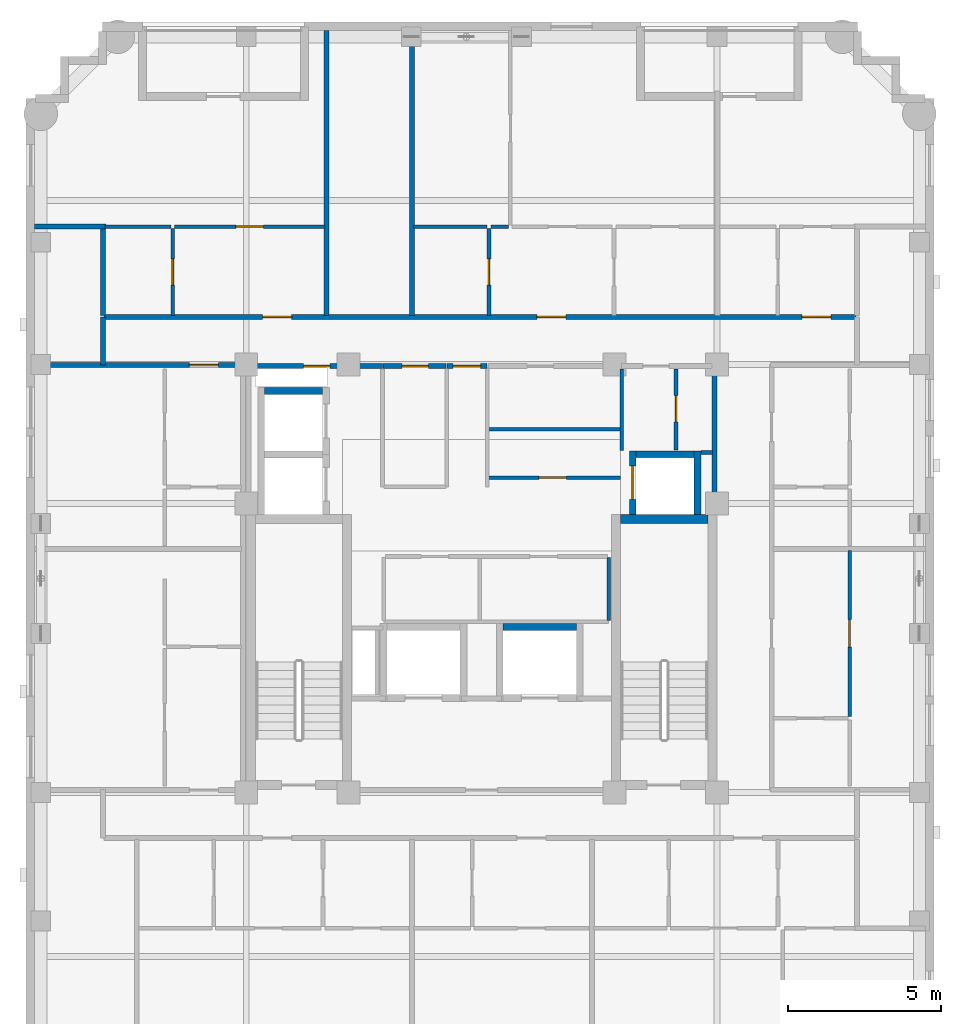
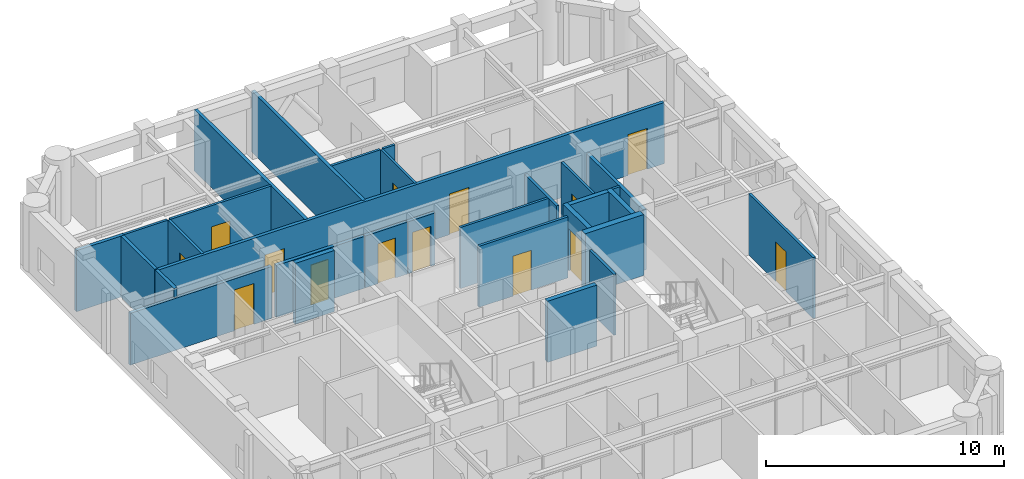
# One storey, part 5 of 10: 30 walls, 14 doors, 14 openings.
"""IFC4 building model written with IfcOpenShell, lengths in metres."""

from ifc_helpers import new_model, si_unit, derived_unit, direction, frame, frame_2d, origin, place, context, subcontext, project, spatial, rectangle, extrude, material, layer, layer_set, type_object, element, fill, save


model = new_model("IFC4")

# Units and contexts
model_context = context("Model", 3, precision=1e-05, world=origin(), true_north=direction((0.0, 1.0)))
body_context = subcontext(model_context, "Body", "Model", "MODEL_VIEW")
ifc_project = project(units=[si_unit("LENGTHUNIT", "METRE"), si_unit("AREAUNIT", "SQUARE_METRE"), si_unit("VOLUMEUNIT", "CUBIC_METRE"), si_unit("PLANEANGLEUNIT", "RADIAN"), si_unit("MASSUNIT", "GRAM", prefix="KILO"), derived_unit("THERMALTRANSMITTANCEUNIT", [(si_unit("MASSUNIT", "GRAM", prefix="KILO"), 1), (si_unit("TIMEUNIT", "SECOND"), -3), (si_unit("THERMODYNAMICTEMPERATUREUNIT", "KELVIN"), -1)])], contexts=[model_context])

# Site, building, storey
site_placement = place(None, origin())
site = spatial("IfcSite", under=ifc_project, at=site_placement, CompositionType="ELEMENT")
building_placement = place(site_placement, origin())
building = spatial("IfcBuilding", under=site, at=building_placement, Name="Korrvale Station Residences", CompositionType="ELEMENT")
storey_placement = place(building_placement, frame((0.0, 0.0, 234.300048828125)))
storey = spatial("IfcBuildingStorey", under=building, at=storey_placement, Name="L68", CompositionType="ELEMENT", Elevation=234.300048828125)

# Walls
ifc_material_1 = material(Name="Concrete C50/60", Category="concrete")
ifc_layer_1 = layer(ifc_material_1, 0.300048828125, Name="Concrete C50/60")
ifc_layer_set_1 = layer_set([ifc_layer_1], Name="Concrete C50/60")
wall_type_1 = type_object("IfcWallType", Name="WAL-CORE-300-C50", PredefinedType="SHEAR", material=ifc_layer_set_1)
wall_1_placement = place(storey_placement, frame((30.050048828125, 23.949951171875, 0.0), z_axis=(0.0, 0.0, 1.0), x_axis=(1.0, 0.0, 0.0)))
element("IfcWall", 1, at=wall_1_placement, inside=storey, type_object=wall_type_1, Name="L68 ST-2 Core Shear Wall North", PredefinedType="SHEAR", context=body_context, shape_type="SweptSolid", body=[
    extrude(rectangle(XDim=2.849853515625, YDim=0.300048828125, at=frame_2d((1.4248046875, 0.0))), origin(), (0.0, 0.0, 1.0), 3.139892578125),
])
ifc_material_2 = material(Name="Acoustic steel-stud gypsum board partition", Category="steel")
ifc_layer_2 = layer(ifc_material_2, 0.1201171875, Name="Acoustic steel-stud gypsum board partition")
ifc_layer_set_2 = layer_set([ifc_layer_2], Name="Acoustic steel-stud gypsum board partition")
wall_type_2 = type_object("IfcWallType", Name="WAL-PART-125", PredefinedType="PARTITIONING", material=ifc_layer_set_2)
wall_2_placement = place(storey_placement, frame((30.080078125, 26.179931640625, 0.0), z_axis=(0.0, 0.0, 1.0), x_axis=(0.0, 1.0, 0.0)))
element("IfcWall", 2, at=wall_2_placement, inside=storey, type_object=wall_type_2, Name="L68 Core Partition CW-CS-W", PredefinedType="PARTITIONING", context=body_context, shape_type="SweptSolid", body=[
    extrude(rectangle(XDim=2.68017578125, YDim=0.1201171875, at=frame_2d((1.340087890625, 0.0))), origin(), (0.0, 0.0, 1.0), 3.139892578125),
])
wall_3_placement = place(storey_placement, frame((32.679931640625, 26.1201171875, 0.0), z_axis=(0.0, 0.0, 1.0), x_axis=(1.0, 0.0, 0.0)))
element("IfcWall", 3, at=wall_3_placement, inside=storey, type_object=wall_type_2, Name="L68 Core Partition CW-CS-S", PredefinedType="PARTITIONING", context=body_context, shape_type="SweptSolid", body=[
    extrude(rectangle(XDim=0.380126953125, YDim=0.1201171875, at=frame_2d((0.18994140625, 0.0))), origin(), (0.0, 0.0, 1.0), 3.139892578125),
])

# Wall, opening, door
wall_4_placement = place(storey_placement, frame((31.860107421875, 26.199951171875, 0.0), z_axis=(0.0, 0.0, 1.0), x_axis=(0.0, 1.0, 0.0)))
wall_4 = element("IfcWall", 4, at=wall_4_placement, inside=storey, type_object=wall_type_2, Name="L68 Core Partition CW-CS-MID", PredefinedType="PARTITIONING", context=body_context, shape_type="SweptSolid", body=[
    extrude(rectangle(XDim=2.66015625, YDim=0.1201171875, at=frame_2d((1.330078125, 0.0))), origin(), (0.0, 0.0, 1.0), 3.139892578125),
])
opening_1_placement = place(wall_4_placement, frame((0.919921875, 0.0, 0.0)))
opening_1 = element("IfcOpeningElement", 5, at=opening_1_placement, cuts=wall_4, Name="Opening DB-860", PredefinedType="OPENING", context=body_context, shape_type="SweptSolid", body=[
    extrude(rectangle(XDim=0.860107421875, YDim=2.050048828125, at=frame_2d((0.43017578125, 1.02490234375))), frame((0.0, 0.070068359375, 0.0), z_axis=(0.0, -1.0, 0.0), x_axis=(1.0, 0.0, 0.0)), (0.0, 0.0, 1.0), 0.14013671875),
])
ifc_material_3 = material(Name="Moisture-resistant solid-core bathroom door", Category="timber")
door_type_1 = type_object("IfcDoorType", Name="DR-BATH-860", OperationType="NOTDEFINED", PredefinedType="DOOR", material=ifc_material_3)
door_1_placement = place(opening_1_placement, origin())
door_1 = element("IfcDoor", 6, at=door_1_placement, inside=storey, type_object=door_type_1, Name="L68 Metering Inner Door", OperationType="SINGLE_SWING_RIGHT", OverallHeight=2.050048828125, OverallWidth=0.860107421875, PredefinedType="DOOR", context=body_context, shape_type="SweptSolid", body=[
    extrude(rectangle(XDim=0.860107421875, YDim=2.050048828125, at=frame_2d((0.43017578125, 1.02490234375))), frame((0.0, 0.02490234375, 0.0), z_axis=(0.0, -1.0, 0.0), x_axis=(1.0, 0.0, 0.0)), (0.0, 0.0, 1.0), 0.050048828125),
])
fill(opening_1, door_1)

# Wall
wall_5_placement = place(storey_placement, frame((25.719970703125, 26.8798828125, 0.0), z_axis=(0.0, 0.0, 1.0), x_axis=(1.0, 0.0, 0.0)))
element("IfcWall", 7, at=wall_5_placement, inside=storey, type_object=wall_type_2, Name="L68 Core Partition CW-FPLE-H", PredefinedType="PARTITIONING", context=body_context, shape_type="SweptSolid", body=[
    extrude(rectangle(XDim=4.320068359375, YDim=0.1201171875, at=frame_2d((2.16015625, 0.0))), origin(), (0.0, 0.0, 1.0), 3.139892578125),
])

# Wall, opening, door
wall_6_placement = place(storey_placement, frame((25.719970703125, 25.300048828125, 0.0), z_axis=(0.0, 0.0, 1.0), x_axis=(1.0, 0.0, 0.0)))
wall_6 = element("IfcWall", 8, at=wall_6_placement, inside=storey, type_object=wall_type_2, Name="L68 Core Partition CW-FPLE-S", PredefinedType="PARTITIONING", context=body_context, shape_type="SweptSolid", body=[
    extrude(rectangle(XDim=4.320068359375, YDim=0.1201171875, at=frame_2d((2.16015625, 0.0))), origin(), (0.0, 0.0, 1.0), 3.139892578125),
])
opening_2_placement = place(wall_6_placement, frame((1.64990234375, 0.0, 0.0)))
opening_2 = element("IfcOpeningElement", 9, at=opening_2_placement, cuts=wall_6, Name="Opening DI-900", PredefinedType="OPENING", context=body_context, shape_type="SweptSolid", body=[
    extrude(rectangle(XDim=0.89990234375, YDim=2.050048828125, at=frame_2d((0.449951171875, 1.02490234375))), frame((0.0, 0.070068359375, 0.0), z_axis=(0.0, -1.0, 0.0), x_axis=(1.0, 0.0, 0.0)), (0.0, 0.0, 1.0), 0.14013671875),
])
ifc_material_4 = material(Name="Painted solid-core timber interior room door", Category="wood")
door_type_2 = type_object("IfcDoorType", Name="DR-INT-900", OperationType="NOTDEFINED", PredefinedType="DOOR", material=ifc_material_4)
door_2_placement = place(opening_2_placement, origin())
door_2 = element("IfcDoor", 10, at=door_2_placement, inside=storey, type_object=door_type_2, Name="L68 Housekeeping Linen Door", OperationType="SINGLE_SWING_LEFT", OverallHeight=2.050048828125, OverallWidth=0.89990234375, PredefinedType="DOOR", context=body_context, shape_type="SweptSolid", body=[
    extrude(rectangle(XDim=0.89990234375, YDim=2.050048828125, at=frame_2d((0.449951171875, 1.02490234375))), frame((0.0, 0.02490234375, 0.0), z_axis=(0.0, -1.0, 0.0), x_axis=(1.0, 0.0, 0.0)), (0.0, 0.0, 1.0), 0.050048828125),
])
fill(opening_2, door_2)

# Wall
wall_7_placement = place(storey_placement, frame((29.659912109375, 20.6201171875, 0.0), z_axis=(0.0, 0.0, 1.0), x_axis=(0.0, 1.0, 0.0)))
element("IfcWall", 11, at=wall_7_placement, inside=storey, type_object=wall_type_2, Name="L68 Core Partition CW-FPM-E", PredefinedType="PARTITIONING", context=body_context, shape_type="SweptSolid", body=[
    extrude(rectangle(XDim=2.059814453125, YDim=0.1201171875, at=frame_2d((1.02978515625, 0.0))), origin(), (0.0, 0.0, 1.0), 3.139892578125),
])

# Wall, opening, door
wall_8_placement = place(storey_placement, frame((15.39697265625, 30.60009765625, 0.0), z_axis=(0.0, 0.0, 1.0), x_axis=(0.0, 1.0, 0.0)))
wall_8 = element("IfcWall", 12, at=wall_8_placement, inside=storey, type_object=wall_type_2, Name="L68 Suite Partition U04-V01", PredefinedType="PARTITIONING", context=body_context, shape_type="SweptSolid", body=[
    extrude(rectangle(XDim=2.849853515625, YDim=0.1201171875, at=frame_2d((1.4248046875, 0.0))), origin(), (0.0, 0.0, 1.0), 3.139892578125),
])
opening_3_placement = place(wall_8_placement, frame((0.9951171875, 0.0, 0.0)))
opening_3 = element("IfcOpeningElement", 13, at=opening_3_placement, cuts=wall_8, Name="Opening DB-860", PredefinedType="OPENING", context=body_context, shape_type="SweptSolid", body=[
    extrude(rectangle(XDim=0.860107421875, YDim=2.050048828125, at=frame_2d((0.43017578125, 1.02490234375))), frame((0.0, 0.070068359375, 0.0), z_axis=(0.0, -1.0, 0.0), x_axis=(1.0, 0.0, 0.0)), (0.0, 0.0, 1.0), 0.14013671875),
])
door_3_placement = place(opening_3_placement, origin())
door_3 = element("IfcDoor", 14, at=door_3_placement, inside=storey, type_object=door_type_1, Name="L68 Studio Apartment L68-U04 Bathroom Door", OperationType="SINGLE_SWING_RIGHT", OverallHeight=2.050048828125, OverallWidth=0.860107421875, PredefinedType="DOOR", context=body_context, shape_type="SweptSolid", body=[
    extrude(rectangle(XDim=0.860107421875, YDim=2.050048828125, at=frame_2d((0.43017578125, 1.02490234375))), frame((0.0, 0.02490234375, 0.0), z_axis=(0.0, -1.0, 0.0), x_axis=(1.0, 0.0, 0.0)), (0.0, 0.0, 1.0), 0.050048828125),
])
fill(opening_3, door_3)

# Wall
wall_9_placement = place(storey_placement, frame((13.179931640625, 33.510009765625, 0.0), z_axis=(0.0, 0.0, 1.0), x_axis=(1.0, 0.0, 0.0)))
element("IfcWall", 15, at=wall_9_placement, inside=storey, type_object=wall_type_2, Name="L68 Suite Partition U04-H02", PredefinedType="PARTITIONING", context=body_context, shape_type="SweptSolid", body=[
    extrude(rectangle(XDim=2.156982421875, YDim=0.1201171875, at=frame_2d((1.07861328125, 0.0))), origin(), (0.0, 0.0, 1.0), 3.139892578125),
])

# Wall, opening, door
wall_10_placement = place(storey_placement, frame((15.45703125, 33.510009765625, 0.0), z_axis=(0.0, 0.0, 1.0), x_axis=(1.0, 0.0, 0.0)))
wall_10 = element("IfcWall", 16, at=wall_10_placement, inside=storey, type_object=wall_type_2, Name="L68 Suite Partition U04-H12", PredefinedType="PARTITIONING", context=body_context, shape_type="SweptSolid", body=[
    extrude(rectangle(XDim=4.9130859375, YDim=0.1201171875, at=frame_2d((2.45654296875, 0.0))), origin(), (0.0, 0.0, 1.0), 3.139892578125),
])
opening_4_placement = place(wall_10_placement, frame((2.006103515625, 0.0, 0.0)))
opening_4 = element("IfcOpeningElement", 17, at=opening_4_placement, cuts=wall_10, Name="Opening DI-900", PredefinedType="OPENING", context=body_context, shape_type="SweptSolid", body=[
    extrude(rectangle(XDim=0.89990234375, YDim=2.050048828125, at=frame_2d((0.449951171875, 1.02490234375))), frame((0.0, 0.070068359375, 0.0), z_axis=(0.0, -1.0, 0.0), x_axis=(1.0, 0.0, 0.0)), (0.0, 0.0, 1.0), 0.14013671875),
])
door_4_placement = place(opening_4_placement, origin())
door_4 = element("IfcDoor", 18, at=door_4_placement, inside=storey, type_object=door_type_2, Name="L68 Studio Apartment L68-U04 Kitchen Door", OperationType="SINGLE_SWING_LEFT", OverallHeight=2.050048828125, OverallWidth=0.89990234375, PredefinedType="DOOR", context=body_context, shape_type="SweptSolid", body=[
    extrude(rectangle(XDim=0.89990234375, YDim=2.050048828125, at=frame_2d((0.449951171875, 1.02490234375))), frame((0.0, 0.02490234375, 0.0), z_axis=(0.0, -1.0, 0.0), x_axis=(1.0, 0.0, 0.0)), (0.0, 0.0, 1.0), 0.050048828125),
])
fill(opening_4, door_4)

wall_11_placement = place(storey_placement, frame((25.739990234375, 30.60009765625, 0.0), z_axis=(0.0, 0.0, 1.0), x_axis=(0.0, 1.0, 0.0)))
wall_11 = element("IfcWall", 19, at=wall_11_placement, inside=storey, type_object=wall_type_2, Name="L68 Suite Partition U05-V01", PredefinedType="PARTITIONING", context=body_context, shape_type="SweptSolid", body=[
    extrude(rectangle(XDim=2.849853515625, YDim=0.1201171875, at=frame_2d((1.4248046875, 0.0))), origin(), (0.0, 0.0, 1.0), 3.139892578125),
])
opening_5_placement = place(wall_11_placement, frame((0.9951171875, 0.0, 0.0)))
opening_5 = element("IfcOpeningElement", 20, at=opening_5_placement, cuts=wall_11, Name="Opening DB-860", PredefinedType="OPENING", context=body_context, shape_type="SweptSolid", body=[
    extrude(rectangle(XDim=0.860107421875, YDim=2.050048828125, at=frame_2d((0.43017578125, 1.02490234375))), frame((0.0, 0.070068359375, 0.0), z_axis=(0.0, -1.0, 0.0), x_axis=(1.0, 0.0, 0.0)), (0.0, 0.0, 1.0), 0.14013671875),
])
door_5_placement = place(opening_5_placement, origin())
door_5 = element("IfcDoor", 21, at=door_5_placement, inside=storey, type_object=door_type_1, Name="L68 Studio Apartment L68-U05 Bathroom Door", OperationType="SINGLE_SWING_RIGHT", OverallHeight=2.050048828125, OverallWidth=0.860107421875, PredefinedType="DOOR", context=body_context, shape_type="SweptSolid", body=[
    extrude(rectangle(XDim=0.860107421875, YDim=2.050048828125, at=frame_2d((0.43017578125, 1.02490234375))), frame((0.0, 0.02490234375, 0.0), z_axis=(0.0, -1.0, 0.0), x_axis=(1.0, 0.0, 0.0)), (0.0, 0.0, 1.0), 0.050048828125),
])
fill(opening_5, door_5)

# Walls
wall_12_placement = place(storey_placement, frame((23.280029296875, 33.510009765625, 0.0), z_axis=(0.0, 0.0, 1.0), x_axis=(1.0, 0.0, 0.0)))
element("IfcWall", 22, at=wall_12_placement, inside=storey, type_object=wall_type_2, Name="L68 Suite Partition U05-H03", PredefinedType="PARTITIONING", context=body_context, shape_type="SweptSolid", body=[
    extrude(rectangle(XDim=2.39990234375, YDim=0.1201171875, at=frame_2d((1.199951171875, 0.0))), origin(), (0.0, 0.0, 1.0), 3.139892578125),
])
wall_13_placement = place(storey_placement, frame((25.800048828125, 33.510009765625, 0.0), z_axis=(0.0, 0.0, 1.0), x_axis=(1.0, 0.0, 0.0)))
element("IfcWall", 23, at=wall_13_placement, inside=storey, type_object=wall_type_2, Name="L68 Suite Partition U05-H13", PredefinedType="PARTITIONING", context=body_context, shape_type="SweptSolid", body=[
    extrude(rectangle(XDim=0.579833984375, YDim=0.1201171875, at=frame_2d((0.2900390625, 0.0))), origin(), (0.0, 0.0, 1.0), 3.139892578125),
])

# Wall, opening, door
wall_14_placement = place(storey_placement, frame((37.5400390625, 17.489013671875, 0.0), z_axis=(0.0, 0.0, 1.0), x_axis=(0.0, 1.0, 0.0)))
wall_14 = element("IfcWall", 24, at=wall_14_placement, inside=storey, type_object=wall_type_2, Name="L68 Suite Partition U09-V12", PredefinedType="PARTITIONING", context=body_context, shape_type="SweptSolid", body=[
    extrude(rectangle(XDim=5.43310546875, YDim=0.1201171875, at=frame_2d((2.716552734375, 0.0))), origin(), (0.0, 0.0, 1.0), 3.139892578125),
])
opening_6_placement = place(wall_14_placement, frame((2.26611328125, 0.0, 0.0)))
opening_6 = element("IfcOpeningElement", 25, at=opening_6_placement, cuts=wall_14, Name="Opening DI-900", PredefinedType="OPENING", context=body_context, shape_type="SweptSolid", body=[
    extrude(rectangle(XDim=0.89990234375, YDim=2.050048828125, at=frame_2d((0.449951171875, 1.02490234375))), frame((0.0, 0.070068359375, 0.0), z_axis=(0.0, -1.0, 0.0), x_axis=(1.0, 0.0, 0.0)), (0.0, 0.0, 1.0), 0.14013671875),
])
door_6_placement = place(opening_6_placement, origin())
door_6 = element("IfcDoor", 26, at=door_6_placement, inside=storey, type_object=door_type_2, Name="L68 Apartment 1BR L68-U09 Kitchen Door", OperationType="SINGLE_SWING_RIGHT", OverallHeight=2.050048828125, OverallWidth=0.89990234375, PredefinedType="DOOR", context=body_context, shape_type="SweptSolid", body=[
    extrude(rectangle(XDim=0.89990234375, YDim=2.050048828125, at=frame_2d((0.449951171875, 1.02490234375))), frame((0.0, 0.02490234375, 0.0), z_axis=(0.0, -1.0, 0.0), x_axis=(1.0, 0.0, 0.0)), (0.0, 0.0, 1.0), 0.050048828125),
])
fill(opening_6, door_6)

# Wall
ifc_material_5 = material(Name="Fire-rated twin-stud gypsum and mineral wool shaftwall assembly", Category="gypsum")
ifc_layer_3 = layer(ifc_material_5, 0.159912109375, Name="Fire-rated twin-stud gypsum and mineral wool shaftwall assembly")
ifc_layer_set_3 = layer_set([ifc_layer_3], Name="Fire-rated twin-stud gypsum and mineral wool shaftwall assembly")
wall_type_3 = type_object("IfcWallType", Name="WAL-PART-200", PredefinedType="PARTITIONING", material=ifc_layer_set_3)
wall_15_placement = place(storey_placement, frame((33.1201171875, 24.1201171875, 0.0), z_axis=(0.0, 0.0, 1.0), x_axis=(0.0, 1.0, 0.0)))
element("IfcWall", 27, at=wall_15_placement, inside=storey, type_object=wall_type_3, Name="L68 Core Partition CW-E-N", PredefinedType="PARTITIONING", context=body_context, shape_type="SweptSolid", body=[
    extrude(rectangle(XDim=4.759765625, YDim=0.159912109375, at=frame_2d((2.3798828125, 0.0))), origin(), (0.0, 0.0, 1.0), 3.139892578125),
])

# Wall, opening, door
wall_16_placement = place(storey_placement, frame((24.360107421875, 28.949951171875, 0.0), z_axis=(0.0, 0.0, 1.0), x_axis=(1.0, 0.0, 0.0)))
wall_16 = element("IfcWall", 28, at=wall_16_placement, inside=storey, type_object=wall_type_3, Name="L68 Core Partition CW-LLOB-N", PredefinedType="PARTITIONING", context=body_context, shape_type="SweptSolid", body=[
    extrude(rectangle(XDim=1.31982421875, YDim=0.159912109375, at=frame_2d((0.659912109375, 0.0))), origin(), (0.0, 0.0, 1.0), 2.66796875),
])
opening_7_placement = place(wall_16_placement, frame((0.2099609375, 0.0, 0.0)))
opening_7 = element("IfcOpeningElement", 29, at=opening_7_placement, cuts=wall_16, Name="Opening DI-900", PredefinedType="OPENING", context=body_context, shape_type="SweptSolid", body=[
    extrude(rectangle(XDim=0.89990234375, YDim=2.050048828125, at=frame_2d((0.449951171875, 1.02490234375))), frame((0.0, 0.08984375, 0.0), z_axis=(0.0, -1.0, 0.0), x_axis=(1.0, 0.0, 0.0)), (0.0, 0.0, 1.0), 0.179931640625),
])
door_7_placement = place(opening_7_placement, origin())
door_7 = element("IfcDoor", 30, at=door_7_placement, inside=storey, type_object=door_type_2, Name="L68 Central Hallway North Passage Door", OperationType="SINGLE_SWING_RIGHT", OverallHeight=2.050048828125, OverallWidth=0.89990234375, PredefinedType="DOOR", context=body_context, shape_type="SweptSolid", body=[
    extrude(rectangle(XDim=0.89990234375, YDim=2.050048828125, at=frame_2d((0.449951171875, 1.02490234375))), frame((0.0, 0.02490234375, 0.0), z_axis=(0.0, -1.0, 0.0), x_axis=(1.0, 0.0, 0.0)), (0.0, 0.0, 1.0), 0.050048828125),
])
fill(opening_7, door_7)

wall_17_placement = place(storey_placement, frame((17.9599609375, 28.949951171875, 0.0), z_axis=(0.0, 0.0, 1.0), x_axis=(1.0, 0.0, 0.0)))
wall_17 = element("IfcWall", 31, at=wall_17_placement, inside=storey, type_object=wall_type_3, Name="L68 Core Partition CW-NW", PredefinedType="PARTITIONING", context=body_context, shape_type="SweptSolid", body=[
    extrude(rectangle(XDim=4.2900390625, YDim=0.159912109375, at=frame_2d((2.14501953125, 0.0))), origin(), (0.0, 0.0, 1.0), 2.66796875),
])
opening_8_placement = place(wall_17_placement, frame((1.715087890625, 0.0, 0.0)))
opening_8 = element("IfcOpeningElement", 32, at=opening_8_placement, cuts=wall_17, Name="Opening DB-860", PredefinedType="OPENING", context=body_context, shape_type="SweptSolid", body=[
    extrude(rectangle(XDim=0.860107421875, YDim=2.050048828125, at=frame_2d((0.43017578125, 1.02490234375))), frame((0.0, 0.08984375, 0.0), z_axis=(0.0, -1.0, 0.0), x_axis=(1.0, 0.0, 0.0)), (0.0, 0.0, 1.0), 0.179931640625),
])
door_8_placement = place(opening_8_placement, origin())
door_8 = element("IfcDoor", 33, at=door_8_placement, inside=storey, type_object=door_type_1, Name="L68 Electrical Riser Access Door", OperationType="SINGLE_SWING_LEFT", OverallHeight=2.050048828125, OverallWidth=0.860107421875, PredefinedType="DOOR", context=body_context, shape_type="SweptSolid", body=[
    extrude(rectangle(XDim=0.860107421875, YDim=2.050048828125, at=frame_2d((0.43017578125, 1.02490234375))), frame((0.0, 0.02490234375, 0.0), z_axis=(0.0, -1.0, 0.0), x_axis=(1.0, 0.0, 0.0)), (0.0, 0.0, 1.0), 0.050048828125),
])
fill(opening_8, door_8)

wall_18_placement = place(storey_placement, frame((22.280029296875, 28.949951171875, 0.0), z_axis=(0.0, 0.0, 1.0), x_axis=(1.0, 0.0, 0.0)))
wall_18 = element("IfcWall", 34, at=wall_18_placement, inside=storey, type_object=wall_type_3, Name="L68 Core Partition CW-FPLW-N", PredefinedType="PARTITIONING", context=body_context, shape_type="SweptSolid", body=[
    extrude(rectangle(XDim=2.06005859375, YDim=0.159912109375, at=frame_2d((1.030029296875, 0.0))), origin(), (0.0, 0.0, 1.0), 2.66796875),
])
opening_9_placement = place(wall_18_placement, frame((0.6201171875, 0.0, 0.0)))
opening_9 = element("IfcOpeningElement", 35, at=opening_9_placement, cuts=wall_18, Name="Opening DB-860", PredefinedType="OPENING", context=body_context, shape_type="SweptSolid", body=[
    extrude(rectangle(XDim=0.860107421875, YDim=2.050048828125, at=frame_2d((0.43017578125, 1.02490234375))), frame((0.0, 0.08984375, 0.0), z_axis=(0.0, -1.0, 0.0), x_axis=(1.0, 0.0, 0.0)), (0.0, 0.0, 1.0), 0.179931640625),
])
door_9_placement = place(opening_9_placement, origin())
door_9 = element("IfcDoor", 36, at=door_9_placement, inside=storey, type_object=door_type_1, Name="L68 Resident Parcel Room Door", OperationType="SINGLE_SWING_RIGHT", OverallHeight=2.050048828125, OverallWidth=0.860107421875, PredefinedType="DOOR", context=body_context, shape_type="SweptSolid", body=[
    extrude(rectangle(XDim=0.860107421875, YDim=2.050048828125, at=frame_2d((0.43017578125, 1.02490234375))), frame((0.0, 0.02490234375, 0.0), z_axis=(0.0, -1.0, 0.0), x_axis=(1.0, 0.0, 0.0)), (0.0, 0.0, 1.0), 0.050048828125),
])
fill(opening_9, door_9)

# Walls
wall_19_placement = place(storey_placement, frame((13.1201171875, 28.97998046875, 0.0), z_axis=(0.0, 0.0, 1.0), x_axis=(0.0, 1.0, 0.0)))
element("IfcWall", 37, at=wall_19_placement, inside=storey, type_object=wall_type_3, Name="L68 Corridor North West Cap", PredefinedType="PARTITIONING", context=body_context, shape_type="SweptSolid", body=[
    extrude(rectangle(XDim=1.580078125, YDim=0.159912109375, at=frame_2d((0.7900390625, 0.0))), origin(), (0.0, 0.0, 1.0), 3.139892578125),
])
wall_20_placement = place(storey_placement, frame((10.8798828125, 33.510009765625, 0.0), z_axis=(0.0, 0.0, 1.0), x_axis=(1.0, 0.0, 0.0)))
element("IfcWall", 38, at=wall_20_placement, inside=storey, type_object=wall_type_3, Name="L68 Corner Step Wall U04-L", PredefinedType="PARTITIONING", context=body_context, shape_type="SweptSolid", body=[
    extrude(rectangle(XDim=2.340087890625, YDim=0.159912109375, at=frame_2d((1.169921875, 0.0))), origin(), (0.0, 0.0, 1.0), 3.139892578125),
])
wall_21_placement = place(storey_placement, frame((13.1201171875, 30.60009765625, 0.0), z_axis=(0.0, 0.0, 1.0), x_axis=(0.0, 1.0, 0.0)))
element("IfcWall", 39, at=wall_21_placement, inside=storey, type_object=wall_type_3, Name="L68 Corner Step Cheek U04-L", PredefinedType="PARTITIONING", context=body_context, shape_type="SweptSolid", body=[
    extrude(rectangle(XDim=2.909912109375, YDim=0.159912109375, at=frame_2d((1.455078125, 0.0))), origin(), (0.0, 0.0, 1.0), 3.139892578125),
])
for number, where, z_axis, x_axis, name in (
    (40, (20.429931640625, 30.60009765625, 0.0), (0.0, 0.0, 1.0), (0.0, 1.0, 0.0), "L68 Demising Wall U04-E"),
    (41, (23.219970703125, 30.60009765625, 0.0), (0.0, 0.0, 1.0), (0.0, 1.0, 0.0), "L68 Demising Wall U05-W"),
):
    element("IfcWall", number, at=place(storey_placement, frame(where, z_axis=z_axis, x_axis=x_axis)), inside=storey, type_object=wall_type_3, Name=name, PredefinedType="PARTITIONING", context=body_context, shape_type="SweptSolid", body=[
        extrude(rectangle(XDim=9.31982421875, YDim=0.159912109375, at=frame_2d((4.659912109375, 0.0))), origin(), (0.0, 0.0, 1.0), 3.139892578125),
    ])

# Wall, opening, door
wall_22_placement = place(storey_placement, frame((10.8798828125, 28.97998046875, 0.0), z_axis=(0.0, 0.0, 1.0), x_axis=(1.0, 0.0, 0.0)))
wall_22 = element("IfcWall", 42, at=wall_22_placement, inside=storey, type_object=wall_type_3, Name="L68 Side Suite North Entry Wall U08", PredefinedType="PARTITIONING", context=body_context, shape_type="SweptSolid", body=[
    extrude(rectangle(XDim=6.880126953125, YDim=0.159912109375, at=frame_2d((3.43994140625, 0.0))), origin(), (0.0, 0.0, 1.0), 2.66796875),
])
opening_10_placement = place(wall_22_placement, frame((5.06005859375, 0.0, 0.0)))
opening_10 = element("IfcOpeningElement", 43, at=opening_10_placement, cuts=wall_22, Name="Opening UD-950", PredefinedType="OPENING", context=body_context, shape_type="SweptSolid", body=[
    extrude(rectangle(XDim=0.949951171875, YDim=2.10009765625, at=frame_2d((0.47509765625, 1.050048828125))), frame((0.0, 0.08984375, 0.0), z_axis=(0.0, -1.0, 0.0), x_axis=(1.0, 0.0, 0.0)), (0.0, 0.0, 1.0), 0.179931640625),
])
ifc_material_6 = material(Name="Solid-core acoustic oak apartment entrance door", Category="timber")
door_type_3 = type_object("IfcDoorType", Name="DR-UNIT-950", OperationType="NOTDEFINED", PredefinedType="DOOR", material=ifc_material_6)
door_10_placement = place(opening_10_placement, origin())
door_10 = element("IfcDoor", 44, at=door_10_placement, inside=storey, type_object=door_type_3, Name="L68 Apartment L68-U08 Entrance Door", OperationType="SINGLE_SWING_RIGHT", OverallHeight=2.10009765625, OverallWidth=0.949951171875, PredefinedType="DOOR", context=body_context, shape_type="SweptSolid", body=[
    extrude(rectangle(XDim=0.949951171875, YDim=2.10009765625, at=frame_2d((0.47509765625, 1.050048828125))), frame((0.0, 0.02490234375, 0.0), z_axis=(0.0, -1.0, 0.0), x_axis=(1.0, 0.0, 0.0)), (0.0, 0.0, 1.0), 0.050048828125),
])
fill(opening_10, door_10)

# Wall, openings, doors
wall_23_placement = place(storey_placement, frame((13.14990234375, 30.56005859375, 0.0), z_axis=(0.0, 0.0, 1.0), x_axis=(1.0, 0.0, 0.0)))
wall_23 = element("IfcWall", 45, at=wall_23_placement, inside=storey, type_object=wall_type_3, Name="L68 Rated Corridor Wall N", PredefinedType="PARTITIONING", context=body_context, shape_type="SweptSolid", body=[
    extrude(rectangle(XDim=24.60009765625, YDim=0.159912109375, at=frame_2d((12.300048828125, 0.0))), origin(), (0.0, 0.0, 1.0), 3.139892578125),
])
opening_11_placement = place(wall_23_placement, frame((5.18505859375, 0.0, 0.0)))
opening_11 = element("IfcOpeningElement", 46, at=opening_11_placement, cuts=wall_23, Name="Opening UD-950", PredefinedType="OPENING", context=body_context, shape_type="SweptSolid", body=[
    extrude(rectangle(XDim=0.949951171875, YDim=2.10009765625, at=frame_2d((0.47509765625, 1.050048828125))), frame((0.0, 0.08984375, 0.0), z_axis=(0.0, -1.0, 0.0), x_axis=(1.0, 0.0, 0.0)), (0.0, 0.0, 1.0), 0.179931640625),
])
opening_12_placement = place(wall_23_placement, frame((14.159912109375, 0.0, 0.0)))
opening_12 = element("IfcOpeningElement", 47, at=opening_12_placement, cuts=wall_23, Name="Opening UD-950", PredefinedType="OPENING", context=body_context, shape_type="SweptSolid", body=[
    extrude(rectangle(XDim=0.949951171875, YDim=2.10009765625, at=frame_2d((0.47509765625, 1.050048828125))), frame((0.0, 0.08984375, 0.0), z_axis=(0.0, -1.0, 0.0), x_axis=(1.0, 0.0, 0.0)), (0.0, 0.0, 1.0), 0.179931640625),
])
opening_13_placement = place(wall_23_placement, frame((22.824951171875, 0.0, 0.0)))
opening_13 = element("IfcOpeningElement", 48, at=opening_13_placement, cuts=wall_23, Name="Opening UD-950", PredefinedType="OPENING", context=body_context, shape_type="SweptSolid", body=[
    extrude(rectangle(XDim=0.949951171875, YDim=2.10009765625, at=frame_2d((0.47509765625, 1.050048828125))), frame((0.0, 0.08984375, 0.0), z_axis=(0.0, -1.0, 0.0), x_axis=(1.0, 0.0, 0.0)), (0.0, 0.0, 1.0), 0.179931640625),
])
door_11_placement = place(opening_11_placement, origin())
door_11 = element("IfcDoor", 49, at=door_11_placement, inside=storey, type_object=door_type_3, Name="L68 Apartment L68-U04 Entrance Door", OperationType="SINGLE_SWING_RIGHT", OverallHeight=2.10009765625, OverallWidth=0.949951171875, PredefinedType="DOOR", context=body_context, shape_type="SweptSolid", body=[
    extrude(rectangle(XDim=0.949951171875, YDim=2.10009765625, at=frame_2d((0.47509765625, 1.050048828125))), frame((0.0, 0.02490234375, 0.0), z_axis=(0.0, -1.0, 0.0), x_axis=(1.0, 0.0, 0.0)), (0.0, 0.0, 1.0), 0.050048828125),
])
fill(opening_11, door_11)
door_12_placement = place(opening_12_placement, origin())
door_12 = element("IfcDoor", 50, at=door_12_placement, inside=storey, type_object=door_type_3, Name="L68 Apartment L68-U05 Entrance Door", OperationType="SINGLE_SWING_LEFT", OverallHeight=2.10009765625, OverallWidth=0.949951171875, PredefinedType="DOOR", context=body_context, shape_type="SweptSolid", body=[
    extrude(rectangle(XDim=0.949951171875, YDim=2.10009765625, at=frame_2d((0.47509765625, 1.050048828125))), frame((0.0, 0.02490234375, 0.0), z_axis=(0.0, -1.0, 0.0), x_axis=(1.0, 0.0, 0.0)), (0.0, 0.0, 1.0), 0.050048828125),
])
fill(opening_12, door_12)
door_13_placement = place(opening_13_placement, origin())
door_13 = element("IfcDoor", 51, at=door_13_placement, inside=storey, type_object=door_type_3, Name="L68 Apartment L68-U06 Entrance Door", OperationType="SINGLE_SWING_RIGHT", OverallHeight=2.10009765625, OverallWidth=0.949951171875, PredefinedType="DOOR", context=body_context, shape_type="SweptSolid", body=[
    extrude(rectangle(XDim=0.949951171875, YDim=2.10009765625, at=frame_2d((0.47509765625, 1.050048828125))), frame((0.0, 0.02490234375, 0.0), z_axis=(0.0, -1.0, 0.0), x_axis=(1.0, 0.0, 0.0)), (0.0, 0.0, 1.0), 0.050048828125),
])
fill(opening_13, door_13)

# Walls
ifc_layer_4 = layer(ifc_material_1, 0.219970703125, Name="Concrete C50/60")
ifc_layer_set_4 = layer_set([ifc_layer_4], Name="Concrete C50/60")
wall_type_4 = type_object("IfcWallType", Name="WAL-SHAFT-220-C50", PredefinedType="SHEAR", material=ifc_layer_set_4)
wall_24_placement = place(storey_placement, frame((18.39990234375, 28.1298828125, 0.0), z_axis=(0.0, 0.0, 1.0), x_axis=(1.0, 0.0, 0.0)))
element("IfcWall", 52, at=wall_24_placement, inside=storey, type_object=wall_type_4, Name="L68 Elevator PH-2 Hoistway Wall North", PredefinedType="SHEAR", context=body_context, shape_type="SweptSolid", body=[
    extrude(rectangle(XDim=1.900146484375, YDim=0.219970703125, at=frame_2d((0.9501953125, 0.0))), origin(), (0.0, 0.0, 1.0), 3.139892578125),
])
wall_25_placement = place(storey_placement, frame((30.550048828125, 26.06005859375, 0.0), z_axis=(0.0, 0.0, 1.0), x_axis=(1.0, 0.0, 0.0)))
element("IfcWall", 53, at=wall_25_placement, inside=storey, type_object=wall_type_4, Name="L68 Elevator PH-3 Hoistway Wall North", PredefinedType="SHEAR", context=body_context, shape_type="SweptSolid", body=[
    extrude(rectangle(XDim=1.89990234375, YDim=0.219970703125, at=frame_2d((0.949951171875, 0.0))), origin(), (0.0, 0.0, 1.0), 3.139892578125),
])

# Wall, opening, door
wall_26_placement = place(storey_placement, frame((30.43994140625, 24.10009765625, 0.0), z_axis=(0.0, 0.0, 1.0), x_axis=(0.0, 1.0, 0.0)))
wall_26 = element("IfcWall", 54, at=wall_26_placement, inside=storey, type_object=wall_type_4, Name="L68 Elevator PH-3 Hoistway Wall West", PredefinedType="SHEAR", context=body_context, shape_type="SweptSolid", body=[
    extrude(rectangle(XDim=2.06982421875, YDim=0.219970703125, at=frame_2d((1.034912109375, 0.0))), origin(), (0.0, 0.0, 1.0), 3.139892578125),
])
opening_14_placement = place(wall_26_placement, frame((0.485107421875, 0.0, 0.0)))
opening_14 = element("IfcOpeningElement", 55, at=opening_14_placement, cuts=wall_26, Name="Opening LD-1100", PredefinedType="OPENING", context=body_context, shape_type="SweptSolid", body=[
    extrude(rectangle(XDim=1.10009765625, YDim=2.14990234375, at=frame_2d((0.550048828125, 1.074951171875))), frame((0.0, 0.1201171875, 0.0), z_axis=(0.0, -1.0, 0.0), x_axis=(1.0, 0.0, 0.0)), (0.0, 0.0, 1.0), 0.239990234375),
])
ifc_material_7 = material(Name="Brushed stainless-steel elevator landing sliding door", Category="steel")
door_type_4 = type_object("IfcDoorType", Name="DR-LIFT-1100", OperationType="SLIDING_TO_LEFT", PredefinedType="DOOR", material=ifc_material_7)
door_14_placement = place(opening_14_placement, origin())
door_14 = element("IfcDoor", 56, at=door_14_placement, inside=storey, type_object=door_type_4, Name="L68 Elevator PH-3 Sliding Landing Door", OperationType="SLIDING_TO_LEFT", OverallHeight=2.14990234375, OverallWidth=1.10009765625, PredefinedType="DOOR", context=body_context, shape_type="SweptSolid", body=[
    extrude(rectangle(XDim=1.10009765625, YDim=2.14990234375, at=frame_2d((0.550048828125, 1.074951171875))), frame((0.0, 0.02490234375, 0.0), z_axis=(0.0, -1.0, 0.0), x_axis=(1.0, 0.0, 0.0)), (0.0, 0.0, 1.0), 0.050048828125),
])
fill(opening_14, door_14)

# Walls
wall_27_placement = place(storey_placement, frame((32.56005859375, 24.10009765625, 0.0), z_axis=(0.0, 0.0, 1.0), x_axis=(0.0, 1.0, 0.0)))
element("IfcWall", 57, at=wall_27_placement, inside=storey, type_object=wall_type_4, Name="L68 Elevator PH-3 Hoistway Wall East", PredefinedType="SHEAR", context=body_context, shape_type="SweptSolid", body=[
    extrude(rectangle(XDim=2.06982421875, YDim=0.219970703125, at=frame_2d((1.034912109375, 0.0))), origin(), (0.0, 0.0, 1.0), 3.139892578125),
])
wall_28_placement = place(storey_placement, frame((26.199951171875, 20.409912109375, 0.0), z_axis=(0.0, 0.0, 1.0), x_axis=(1.0, 0.0, 0.0)))
element("IfcWall", 58, at=wall_28_placement, inside=storey, type_object=wall_type_4, Name="L68 Elevator FFL-2 Hoistway Wall North", PredefinedType="SHEAR", context=body_context, shape_type="SweptSolid", body=[
    extrude(rectangle(XDim=2.400146484375, YDim=0.219970703125, at=frame_2d((1.2001953125, 0.0))), origin(), (0.0, 0.0, 1.0), 3.139892578125),
])

save(model, "model.ifc")
